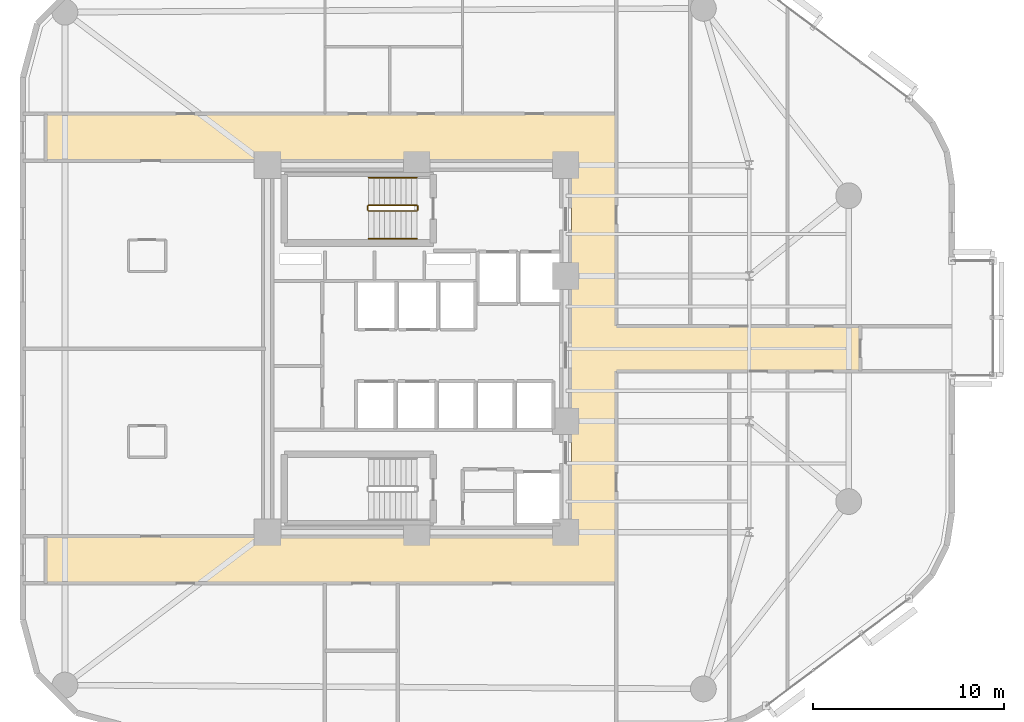
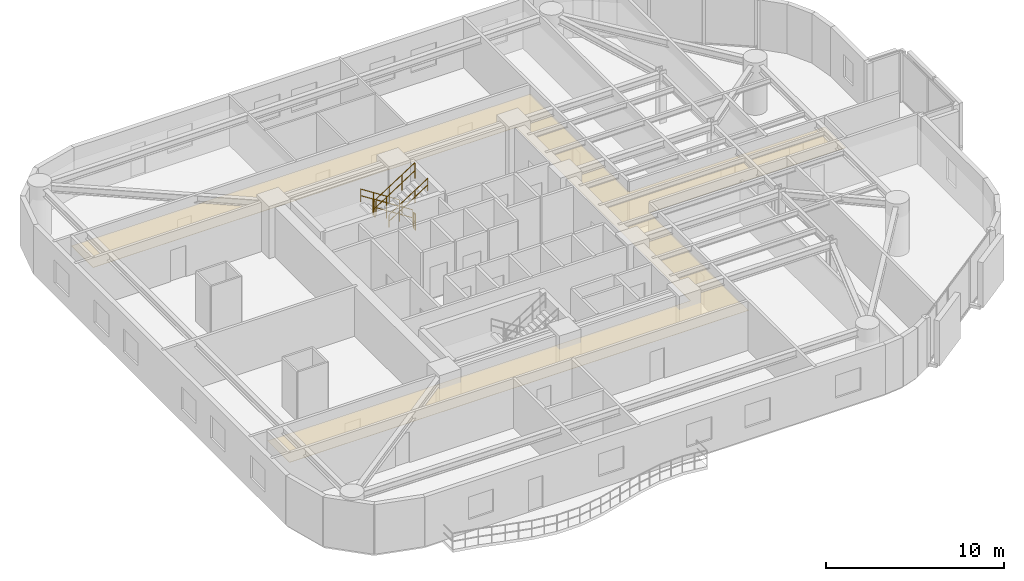
# One storey, part 13 of 14: 6 railings, 1 covering.
"""IFC4 building model written with IfcOpenShell, lengths in metres."""

from ifc_helpers import new_model, si_unit, direction, frame, origin, origin_2d, place, context, subcontext, project, spatial, polyline, circle, outline, extrude, material, layer, layer_set, type_object, element, save


model = new_model("IFC4")

# Units and contexts
model_context = context("Model", 3, precision=1e-05, world=origin(), true_north=direction((0.0, 1.0)))
body_context = subcontext(model_context, "Body", "Model", "MODEL_VIEW")
ifc_project = project(units=[si_unit("LENGTHUNIT", "METRE"), si_unit("AREAUNIT", "SQUARE_METRE"), si_unit("VOLUMEUNIT", "CUBIC_METRE"), si_unit("PLANEANGLEUNIT", "RADIAN"), si_unit("MASSUNIT", "GRAM", prefix="KILO")], contexts=[model_context])

# Site, building, storey
site_placement = place(None, origin())
site = spatial("IfcSite", under=ifc_project, at=site_placement, CompositionType="ELEMENT")
building_placement = place(site_placement, origin())
building = spatial("IfcBuilding", under=site, at=building_placement, Name="An Khanh Terracotta Commons", CompositionType="ELEMENT")
storey_placement = place(building_placement, frame((0.0, 0.0, 115.10009765625)))
storey = spatial("IfcBuildingStorey", under=building, at=storey_placement, Name="L30", CompositionType="ELEMENT", Elevation=115.10009765625)

# Covering
ifc_material_1 = material(Name="Perforated Mineral-Fibre Acoustic Tile")
ifc_layer = layer(ifc_material_1, 0.02001953125, Name="Perforated Mineral-Fibre Acoustic Tile")
ifc_layer_set = layer_set([ifc_layer], Name="Perforated Mineral-Fibre Acoustic Tile")
covering_type = type_object("IfcCoveringType", Name="CEIL-ACOUSTIC-18", PredefinedType="CEILING", material=ifc_layer_set)
covering_placement = place(storey_placement, frame((0.0, 0.0, 2.64990234375)))
element("IfcCovering", 1, at=covering_placement, inside=storey, type_object=covering_type, Name="L30 Corridor Ceiling", PredefinedType="CEILING", context=body_context, shape_type="SweptSolid", body=[
    extrude(outline(polyline([(10.0, 11.719970703125), (10.0, 14.179931640625), (37.5, 14.179931640625), (37.5, 33.820068359375), (10.0, 33.820068359375), (10.0, 36.280029296875), (37.5, 36.280029296875), (39.85009765625, 36.280029296875), (39.85009765625, 33.820068359375), (39.85009765625, 25.179931640625), (52.60009765625, 25.179931640625), (52.60009765625, 22.820068359375), (39.85009765625, 22.820068359375), (39.85009765625, 14.179931640625), (39.85009765625, 11.719970703125), (37.5, 11.719970703125), (10.0, 11.719970703125)])), origin(), (0.0, 0.0, 1.0), 0.02001953125),
])

# Railings
ifc_material_2 = material(Name="Brushed Stainless Steel 316", Category="steel")
railing_type_1 = type_object("IfcRailingType", Name="RAIL-HANDRAIL-900", PredefinedType="HANDRAIL", material=ifc_material_2)
railing_1_placement = place(storey_placement, frame((29.409912109375, 32.949951171875, 0.179931640625)))
element("IfcRailing", 2, at=railing_1_placement, inside=storey, type_object=railing_type_1, Name="L30 ST-01 stair handrail 1", PredefinedType="HANDRAIL", context=body_context, shape_type="SweptSolid", body=[
    extrude(circle(Radius=0.02392578125, at=origin_2d()), frame((0.0, 0.0, 0.8759765625), z_axis=(-0.841199657755, 0.0, 0.540724639528), x_axis=(0.0, -1.0, 0.0)), (0.0, 0.0, 1.0), 2.995849609375),
    extrude(circle(Radius=0.02392578125, at=origin_2d()), frame((0.0, 0.0, 0.42578125), z_axis=(-0.841199657755, 0.0, 0.540724639528), x_axis=(0.0, -1.0, 0.0)), (0.0, 0.0, 1.0), 2.995849609375),
    extrude(circle(Radius=0.02099609375, at=origin_2d()), origin(), (0.0, 0.0, 1.0), 0.851806640625),
    extrude(circle(Radius=0.02099609375, at=origin_2d()), frame((-0.840087890625, 0.0, 0.5400390625)), (0.0, 0.0, 1.0), 0.851806640625),
    extrude(circle(Radius=0.02099609375, at=origin_2d()), frame((-1.679931640625, 0.0, 1.079833984375)), (0.0, 0.0, 1.0), 0.851806640625),
    extrude(circle(Radius=0.02099609375, at=origin_2d()), frame((-2.52001953125, 0.0, 1.619873046875)), (0.0, 0.0, 1.0), 0.851806640625),
])
railing_2_placement = place(storey_placement, frame((26.889892578125, 29.75, 1.97998046875)))
element("IfcRailing", 3, at=railing_2_placement, inside=storey, type_object=railing_type_1, Name="L30 ST-01 stair handrail 2", PredefinedType="HANDRAIL", context=body_context, shape_type="SweptSolid", body=[
    extrude(circle(Radius=0.02392578125, at=origin_2d()), frame((0.0, 0.0, 0.8759765625), z_axis=(0.841199657755, 0.0, 0.540724639528), x_axis=(0.0, 1.0, 0.0)), (0.0, 0.0, 1.0), 2.995849609375),
    extrude(circle(Radius=0.02392578125, at=origin_2d()), frame((0.0, 0.0, 0.42578125), z_axis=(0.841199657755, 0.0, 0.540724639528), x_axis=(0.0, 1.0, 0.0)), (0.0, 0.0, 1.0), 2.995849609375),
    extrude(circle(Radius=0.02099609375, at=origin_2d()), origin(), (0.0, 0.0, 1.0), 0.851806640625),
    extrude(circle(Radius=0.02099609375, at=origin_2d()), frame((0.840087890625, 0.0, 0.5400390625)), (0.0, 0.0, 1.0), 0.851806640625),
    extrude(circle(Radius=0.02099609375, at=origin_2d()), frame((1.679931640625, 0.0, 1.079833984375)), (0.0, 0.0, 1.0), 0.851806640625),
    extrude(circle(Radius=0.02099609375, at=origin_2d()), frame((2.52001953125, 0.0, 1.619873046875)), (0.0, 0.0, 1.0), 0.851806640625),
])
ifc_material_3 = material(Name="Powder-Coated Steel S355J2", Category="steel")
railing_type_2 = type_object("IfcRailingType", Name="RAIL-STAIR-GUARD-1100", PredefinedType="BALUSTRADE", material=ifc_material_3)
railing_3_placement = place(storey_placement, frame((29.409912109375, 31.5, 0.179931640625)))
element("IfcRailing", 4, at=railing_3_placement, inside=storey, type_object=railing_type_2, Name="L30 ST-01 stair guard 1", PredefinedType="BALUSTRADE", context=body_context, shape_type="SweptSolid", body=[
    extrude(circle(Radius=0.02392578125, at=origin_2d()), frame((0.0, 0.0, 1.076171875), z_axis=(-0.841199657755, 0.0, 0.540724639528), x_axis=(0.0, -1.0, 0.0)), (0.0, 0.0, 1.0), 2.995849609375),
    extrude(circle(Radius=0.02392578125, at=origin_2d()), frame((0.0, 0.0, 0.52587890625), z_axis=(-0.841199657755, 0.0, 0.540724639528), x_axis=(0.0, -1.0, 0.0)), (0.0, 0.0, 1.0), 2.995849609375),
    extrude(circle(Radius=0.02099609375, at=origin_2d()), origin(), (0.0, 0.0, 1.0), 1.052001953125),
    extrude(circle(Radius=0.02099609375, at=origin_2d()), frame((-0.840087890625, 0.0, 0.5400390625)), (0.0, 0.0, 1.0), 1.052001953125),
    extrude(circle(Radius=0.02099609375, at=origin_2d()), frame((-1.679931640625, 0.0, 1.079833984375)), (0.0, 0.0, 1.0), 1.052001953125),
    extrude(circle(Radius=0.02099609375, at=origin_2d()), frame((-2.52001953125, 0.0, 1.619873046875)), (0.0, 0.0, 1.0), 1.052001953125),
])
railing_4_placement = place(storey_placement, frame((26.840087890625, 31.449951171875, 1.7998046875)))
element("IfcRailing", 5, at=railing_4_placement, inside=storey, type_object=railing_type_2, Name="L30 ST-01 stair guard 2", PredefinedType="BALUSTRADE", context=body_context, shape_type="SweptSolid", body=[
    extrude(circle(Radius=0.02392578125, at=origin_2d()), frame((0.0, 0.0, 1.076171875), z_axis=(0.0, -1.0, 0.0), x_axis=(1.0, 0.0, 0.0)), (0.0, 0.0, 1.0), 0.199951171875),
    extrude(circle(Radius=0.02392578125, at=origin_2d()), frame((0.0, 0.0, 0.52587890625), z_axis=(0.0, -1.0, 0.0), x_axis=(1.0, 0.0, 0.0)), (0.0, 0.0, 1.0), 0.199951171875),
    extrude(circle(Radius=0.02099609375, at=origin_2d()), origin(), (0.0, 0.0, 1.0), 1.052001953125),
    extrude(circle(Radius=0.02099609375, at=origin_2d()), frame((0.0, -0.199951171875, 0.0)), (0.0, 0.0, 1.0), 1.052001953125),
])
railing_5_placement = place(storey_placement, frame((26.889892578125, 31.199951171875, 1.97998046875)))
element("IfcRailing", 6, at=railing_5_placement, inside=storey, type_object=railing_type_2, Name="L30 ST-01 stair guard 3", PredefinedType="BALUSTRADE", context=body_context, shape_type="SweptSolid", body=[
    extrude(circle(Radius=0.02392578125, at=origin_2d()), frame((0.0, 0.0, 1.076171875), z_axis=(0.841199657755, 0.0, 0.540724639528), x_axis=(0.0, 1.0, 0.0)), (0.0, 0.0, 1.0), 2.995849609375),
    extrude(circle(Radius=0.02392578125, at=origin_2d()), frame((0.0, 0.0, 0.52587890625), z_axis=(0.841199657755, 0.0, 0.540724639528), x_axis=(0.0, 1.0, 0.0)), (0.0, 0.0, 1.0), 2.995849609375),
    extrude(circle(Radius=0.02099609375, at=origin_2d()), origin(), (0.0, 0.0, 1.0), 1.052001953125),
    extrude(circle(Radius=0.02099609375, at=origin_2d()), frame((0.840087890625, 0.0, 0.5400390625)), (0.0, 0.0, 1.0), 1.052001953125),
    extrude(circle(Radius=0.02099609375, at=origin_2d()), frame((1.679931640625, 0.0, 1.079833984375)), (0.0, 0.0, 1.0), 1.052001953125),
    extrude(circle(Radius=0.02099609375, at=origin_2d()), frame((2.52001953125, 0.0, 1.619873046875)), (0.0, 0.0, 1.0), 1.052001953125),
])
railing_6_placement = place(storey_placement, frame((29.4599609375, 31.449951171875, 0.0)))
element("IfcRailing", 7, at=railing_6_placement, inside=storey, type_object=railing_type_2, Name="L30 ST-01 stair guard 4", PredefinedType="BALUSTRADE", context=body_context, shape_type="SweptSolid", body=[
    extrude(circle(Radius=0.02392578125, at=origin_2d()), frame((0.0, 0.0, 1.076171875), z_axis=(0.0, -1.0, 0.0), x_axis=(1.0, 0.0, 0.0)), (0.0, 0.0, 1.0), 0.199951171875),
    extrude(circle(Radius=0.02392578125, at=origin_2d()), frame((0.0, 0.0, 0.52587890625), z_axis=(0.0, -1.0, 0.0), x_axis=(1.0, 0.0, 0.0)), (0.0, 0.0, 1.0), 0.199951171875),
    extrude(circle(Radius=0.02099609375, at=origin_2d()), origin(), (0.0, 0.0, 1.0), 1.052001953125),
    extrude(circle(Radius=0.02099609375, at=origin_2d()), frame((0.0, -0.199951171875, 0.0)), (0.0, 0.0, 1.0), 1.052001953125),
])

save(model, "model.ifc")
